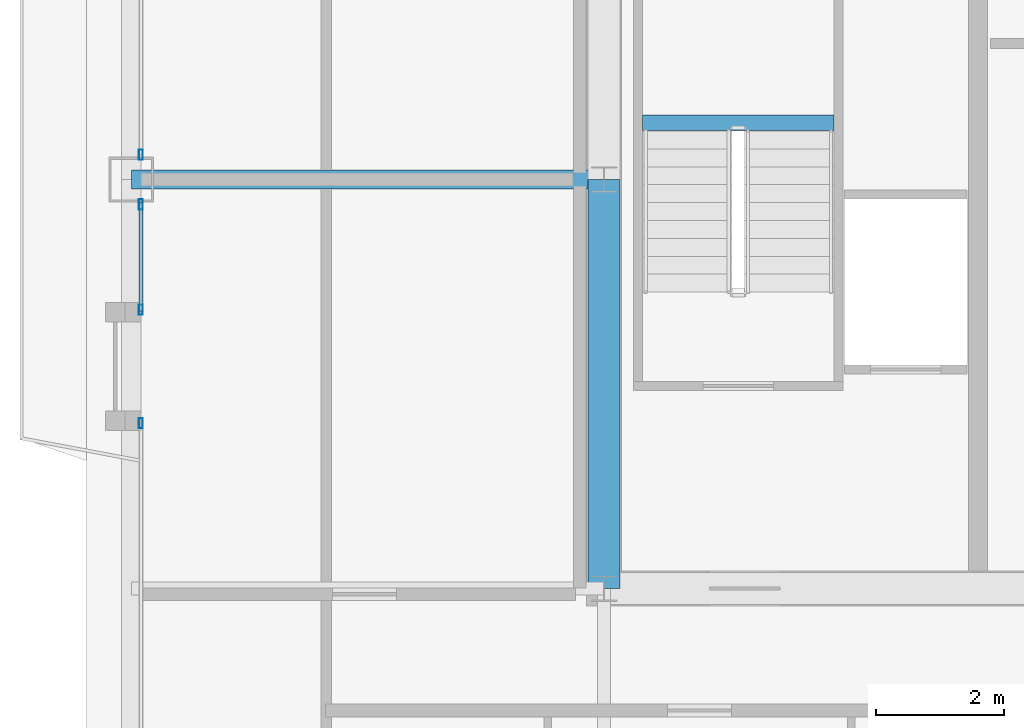
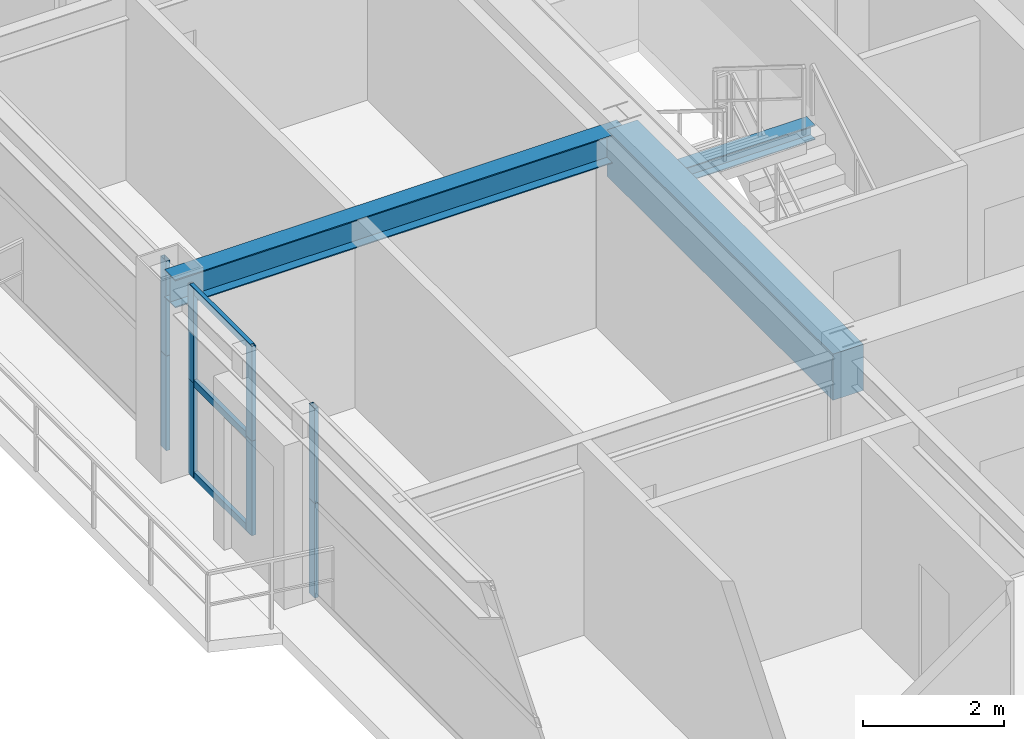
# One storey, part 9 of 33: 11 members, 3 beams, 3 elements without a shape of their own.
"""IFC4 building model written with IfcOpenShell, lengths in metres."""

from ifc_helpers import new_model, si_unit, direction, frame, origin, origin_2d, place, context, subcontext, project, spatial, rectangle, hollow_rectangle, i_section, extrude, source, transform, mapped, material, layer, layer_set, material_profile, profile_set, type_object, element, aggregate, save


model = new_model("IFC4")

# Units and contexts
model_context = context("Model", 3, precision=1e-05, world=origin(), true_north=direction((0.0, 1.0)))
body_context = subcontext(model_context, "Body", "Model", "MODEL_VIEW")
ifc_project = project(units=[si_unit("LENGTHUNIT", "METRE"), si_unit("AREAUNIT", "SQUARE_METRE"), si_unit("VOLUMEUNIT", "CUBIC_METRE"), si_unit("PLANEANGLEUNIT", "RADIAN"), si_unit("MASSUNIT", "GRAM", prefix="KILO"), si_unit("THERMODYNAMICTEMPERATUREUNIT", "KELVIN"), si_unit("POWERUNIT", "WATT")], contexts=[model_context])

# Site, building, storey
site_placement = place(None, origin())
site = spatial("IfcSite", under=ifc_project, at=site_placement, CompositionType="ELEMENT")
building_placement = place(site_placement, origin())
building = spatial("IfcBuilding", under=site, at=building_placement, Name="Yuzanri Waterfront Tower", CompositionType="ELEMENT")
storey_placement = place(building_placement, frame((0.0, 0.0, 234.60009765625)))
storey = spatial("IfcBuildingStorey", under=building, at=storey_placement, Name="L62", CompositionType="ELEMENT", Elevation=234.60009765625)

# Beams
ifc_material_1 = material(Name="Concrete C50", Category="concrete")
ifc_material_profile_1 = material_profile(ifc_material_1, rectangle(XDim=0.5, YDim=0.800048828125, at=origin_2d()), Name="RC 500x800")
ifc_profile_set_1 = profile_set([ifc_material_profile_1], Name="Concrete C50")
beam_type_1 = type_object("IfcBeamType", Name="Core Coupling Lintel Concrete C50 500x800", PredefinedType="LINTEL", material=ifc_profile_set_1)
shared_shape_1 = source(origin(), body_context, "Body", "SweptSolid", [
    extrude(rectangle(XDim=0.5, YDim=0.800048828125, at=origin_2d()), origin(), (0.0, 0.0, 1.0), 6.400146484375),
])
beam_1_placement = place(storey_placement, frame((23.800048828125, 19.39990234375, 2.8798828125), z_axis=(0.0, 1.0, 0.0), x_axis=(-1.0, 0.0, 0.0)))
element("IfcBeam", 1, at=beam_1_placement, inside=storey, type_object=beam_type_1, Name="L62 Core Tie Beam CW1", PredefinedType="LINTEL", context=body_context, shape_type="MappedRepresentation", body=[
    mapped(shared_shape_1, transform((0.0, 0.0, 0.0), scale=1.0)),
])
ifc_material_2 = material(Name="Steel Q355B", Category="steel")
ifc_material_profile_2 = material_profile(ifc_material_2, i_section(OverallWidth=0.300048828125, OverallDepth=0.488037109375, WebThickness=0.010986328125, FlangeThickness=0.01806640625, at=origin_2d()), Name="HM 488x300x11x18")
ifc_profile_set_2 = profile_set([ifc_material_profile_2], Name="Steel Q355B")
beam_type_2 = type_object("IfcBeamType", Name="Primary Floor Girder Q355B HM 488x300", PredefinedType="BEAM", material=ifc_profile_set_2)
shared_shape_2 = source(origin(), body_context, "Body", "SweptSolid", [
    extrude(i_section(OverallWidth=0.300048828125, OverallDepth=0.488037109375, WebThickness=0.010986328125, FlangeThickness=0.01806640625, at=origin_2d()), origin(), (0.0, 0.0, 1.0), 7.400146484375),
])
beam_2_placement = place(storey_placement, frame((23.800048828125, 25.800048828125, 3.035888671875), z_axis=(-1.0, 0.0, 0.0), x_axis=(0.0, -1.0, 0.0)))
element("IfcBeam", 2, at=beam_2_placement, inside=storey, type_object=beam_type_2, Name="L62 West Grid Girder", PredefinedType="BEAM", context=body_context, shape_type="MappedRepresentation", body=[
    mapped(shared_shape_2, transform((0.0, 0.0, 0.0), scale=1.0)),
])

# Curtain wall, members
ifc_material_3 = material(Name="Anodized Architectural Bronze", Category="metal")
ifc_layer = layer(ifc_material_3, 0.159912109375)
ifc_layer_set = layer_set([ifc_layer], Name="Anodized Architectural Bronze")
curtain_wall_type = type_object("IfcCurtainWallType", Name="Anodized Bronze Mid-Rise Residential Acoustic Unitized Curtain Wall 7200", PredefinedType="NOTDEFINED", material=ifc_layer_set)
curtain_wall_1_placement = place(storey_placement, origin())
curtain_wall_1 = element("IfcCurtainWall", 3, at=curtain_wall_1_placement, inside=storey, type_object=curtain_wall_type, Name="L62 Curtain Wall CW-L62-WL1", PredefinedType="NOTDEFINED")
ifc_material_4 = material(Name="Anodized Architectural Bronze", Category="metal")
ifc_material_profile_3 = material_profile(ifc_material_4, hollow_rectangle(XDim=0.06494140625, YDim=0.159912109375, WallThickness=0.00341796875, at=origin_2d()), Name="CWM 65x160")
ifc_profile_set_3 = profile_set([ifc_material_profile_3], Name="Anodized Architectural Bronze")
member_type_1 = type_object("IfcMemberType", Name="Anodized Bronze Upper-Zone Curtain-Wall Mullion 65x160", PredefinedType="MULLION", material=ifc_profile_set_3)
shared_shape_3 = source(origin(), body_context, "Body", "SweptSolid", [
    extrude(hollow_rectangle(XDim=0.06494140625, YDim=0.159912109375, WallThickness=0.00341796875, at=origin_2d()), origin(), (0.0, 0.0, 1.0), 1.637939453125),
])
member_1_placement = place(storey_placement, frame((16.550048828125, 21.985107421875, 0.0), z_axis=(0.0, 0.0, 1.0), x_axis=(1.0, 0.0, 0.0)))
member_1 = element("IfcMember", 4, at=member_1_placement, type_object=member_type_1, Name="CW-L62-WL1 Lower Mullion 01", PredefinedType="MULLION", context=body_context, shape_type="MappedRepresentation", body=[
    mapped(shared_shape_3, transform((0.0, 0.0, 0.0), scale=1.0)),
])
member_2_placement = place(storey_placement, frame((16.550048828125, 21.985107421875, 1.641845703125), z_axis=(0.0, 0.0, 1.0), x_axis=(1.0, 0.0, 0.0)))
member_2 = element("IfcMember", 5, at=member_2_placement, type_object=member_type_1, Name="CW-L62-WL1 Upper Mullion 01", PredefinedType="MULLION", context=body_context, shape_type="MappedRepresentation", body=[
    mapped(shared_shape_3, transform((0.0, 0.0, 0.0), scale=1.0)),
])
aggregate(curtain_wall_1, [member_1, member_2])

curtain_wall_2_placement = place(storey_placement, origin())
curtain_wall_2 = element("IfcCurtainWall", 6, at=curtain_wall_2_placement, inside=storey, type_object=curtain_wall_type, Name="L62 Curtain Wall CW-L62-WL2", PredefinedType="NOTDEFINED")
member_3_placement = place(storey_placement, frame((16.550048828125, 23.764892578125, 0.0), z_axis=(0.0, 0.0, 1.0), x_axis=(1.0, 0.0, 0.0)))
member_3 = element("IfcMember", 7, at=member_3_placement, type_object=member_type_1, Name="CW-L62-WL2 Lower Mullion 00", PredefinedType="MULLION", context=body_context, shape_type="MappedRepresentation", body=[
    mapped(shared_shape_3, transform((0.0, 0.0, 0.0), scale=1.0)),
])
member_4_placement = place(storey_placement, frame((16.550048828125, 23.764892578125, 1.641845703125), z_axis=(0.0, 0.0, 1.0), x_axis=(1.0, 0.0, 0.0)))
member_4 = element("IfcMember", 8, at=member_4_placement, type_object=member_type_1, Name="CW-L62-WL2 Upper Mullion 00", PredefinedType="MULLION", context=body_context, shape_type="MappedRepresentation", body=[
    mapped(shared_shape_3, transform((0.0, 0.0, 0.0), scale=1.0)),
])
member_5_placement = place(storey_placement, frame((16.550048828125, 25.409912109375, 0.0), z_axis=(0.0, 0.0, 1.0), x_axis=(1.0, 0.0, 0.0)))
member_5 = element("IfcMember", 9, at=member_5_placement, type_object=member_type_1, Name="CW-L62-WL2 Lower Mullion 01", PredefinedType="MULLION", context=body_context, shape_type="MappedRepresentation", body=[
    mapped(shared_shape_3, transform((0.0, 0.0, 0.0), scale=1.0)),
])
member_6_placement = place(storey_placement, frame((16.550048828125, 25.409912109375, 1.641845703125), z_axis=(0.0, 0.0, 1.0), x_axis=(1.0, 0.0, 0.0)))
member_6 = element("IfcMember", 10, at=member_6_placement, type_object=member_type_1, Name="CW-L62-WL2 Upper Mullion 01", PredefinedType="MULLION", context=body_context, shape_type="MappedRepresentation", body=[
    mapped(shared_shape_3, transform((0.0, 0.0, 0.0), scale=1.0)),
])

curtain_wall_3_placement = place(storey_placement, origin())
curtain_wall_3 = element("IfcCurtainWall", 11, at=curtain_wall_3_placement, inside=storey, type_object=curtain_wall_type, Name="L62 Curtain Wall CW-L62-WR", PredefinedType="NOTDEFINED")
member_7_placement = place(storey_placement, frame((16.550048828125, 26.18994140625, 0.0), z_axis=(0.0, 0.0, 1.0), x_axis=(1.0, 0.0, 0.0)))
member_7 = element("IfcMember", 12, at=member_7_placement, type_object=member_type_1, Name="CW-L62-WR Lower Mullion 00", PredefinedType="MULLION", context=body_context, shape_type="MappedRepresentation", body=[
    mapped(shared_shape_3, transform((0.0, 0.0, 0.0), scale=1.0)),
])
member_8_placement = place(storey_placement, frame((16.550048828125, 26.18994140625, 1.641845703125), z_axis=(0.0, 0.0, 1.0), x_axis=(1.0, 0.0, 0.0)))
member_8 = element("IfcMember", 13, at=member_8_placement, type_object=member_type_1, Name="CW-L62-WR Upper Mullion 00", PredefinedType="MULLION", context=body_context, shape_type="MappedRepresentation", body=[
    mapped(shared_shape_3, transform((0.0, 0.0, 0.0), scale=1.0)),
])
aggregate(curtain_wall_3, [member_7, member_8])

# Member
ifc_material_5 = material(Name="Anodized Architectural Bronze", Category="metal")
ifc_material_profile_4 = material_profile(ifc_material_5, hollow_rectangle(XDim=0.06494140625, YDim=0.1201171875, WallThickness=0.00341796875, at=origin_2d()), Name="CWT 65x120")
ifc_profile_set_4 = profile_set([ifc_material_profile_4], Name="Anodized Architectural Bronze")
member_type_2 = type_object("IfcMemberType", Name="Anodized Bronze Secondary Curtain-Wall Transom 65x120", PredefinedType="USERDEFINED", material=ifc_profile_set_4)
shared_shape_4 = source(origin(), body_context, "Body", "SweptSolid", [
    extrude(hollow_rectangle(XDim=0.06494140625, YDim=0.1201171875, WallThickness=0.00341796875, at=origin_2d()), origin(), (0.0, 0.0, 1.0), 1.724853515625),
])
member_9_placement = place(storey_placement, frame((16.550048828125, 23.72509765625, 0.0498046875), z_axis=(0.0, 1.0, 0.0), x_axis=(-1.0, 0.0, 0.0)))
member_9 = element("IfcMember", 14, at=member_9_placement, type_object=member_type_2, Name="CW-L62-WL2 Transom 1", ObjectType="TRANSOM", PredefinedType="USERDEFINED", context=body_context, shape_type="MappedRepresentation", body=[
    mapped(shared_shape_4, transform((0.0, 0.0, 0.0), scale=1.0)),
])

member_10_placement = place(storey_placement, frame((16.550048828125, 23.72509765625, 1.639892578125), z_axis=(0.0, 1.0, 0.0), x_axis=(-1.0, 0.0, 0.0)))
member_10 = element("IfcMember", 15, at=member_10_placement, type_object=member_type_2, Name="CW-L62-WL2 Transom 2", ObjectType="TRANSOM", PredefinedType="USERDEFINED", context=body_context, shape_type="MappedRepresentation", body=[
    mapped(shared_shape_4, transform((0.0, 0.0, 0.0), scale=1.0)),
])

member_11_placement = place(storey_placement, frame((16.550048828125, 23.72509765625, 3.22998046875), z_axis=(0.0, 1.0, 0.0), x_axis=(-1.0, 0.0, 0.0)))
member_11 = element("IfcMember", 16, at=member_11_placement, type_object=member_type_2, Name="CW-L62-WL2 Transom 3", ObjectType="TRANSOM", PredefinedType="USERDEFINED", context=body_context, shape_type="MappedRepresentation", body=[
    mapped(shared_shape_4, transform((0.0, 0.0, 0.0), scale=1.0)),
])

aggregate(curtain_wall_2, [member_3, member_4, member_5, member_6, member_9, member_10, member_11])

# Beam
ifc_material_6 = material(Name="Steel Q355B", Category="steel")
ifc_material_profile_5 = material_profile(ifc_material_6, i_section(OverallWidth=0.25, OverallDepth=0.25, WebThickness=0.009033203125, FlangeThickness=0.013916015625, at=origin_2d()), Name="HW 250x250x9x14")
ifc_profile_set_5 = profile_set([ifc_material_profile_5], Name="Steel Q355B")
beam_type_3 = type_object("IfcBeamType", Name="Stair Landing Support Beam Q355B HW 250x250", PredefinedType="BEAM", material=ifc_profile_set_5)
shared_shape_5 = source(origin(), body_context, "Body", "SweptSolid", [
    extrude(i_section(OverallWidth=0.25, OverallDepth=0.25, WebThickness=0.009033203125, FlangeThickness=0.013916015625, at=origin_2d()), origin(), (0.0, 0.0, 1.0), 3.0),
])
beam_3_placement = place(storey_placement, frame((24.39990234375, 26.68994140625, 1.4248046875), z_axis=(1.0, 0.0, 0.0), x_axis=(0.0, 1.0, 0.0)))
element("IfcBeam", 17, at=beam_3_placement, inside=storey, type_object=beam_type_3, Name="L62 Stair Landing Support Beam ST-01-L62-L1-1", PredefinedType="BEAM", context=body_context, shape_type="MappedRepresentation", body=[
    mapped(shared_shape_5, transform((0.0, 0.0, 0.0), scale=1.0)),
])

save(model, "model.ifc")
